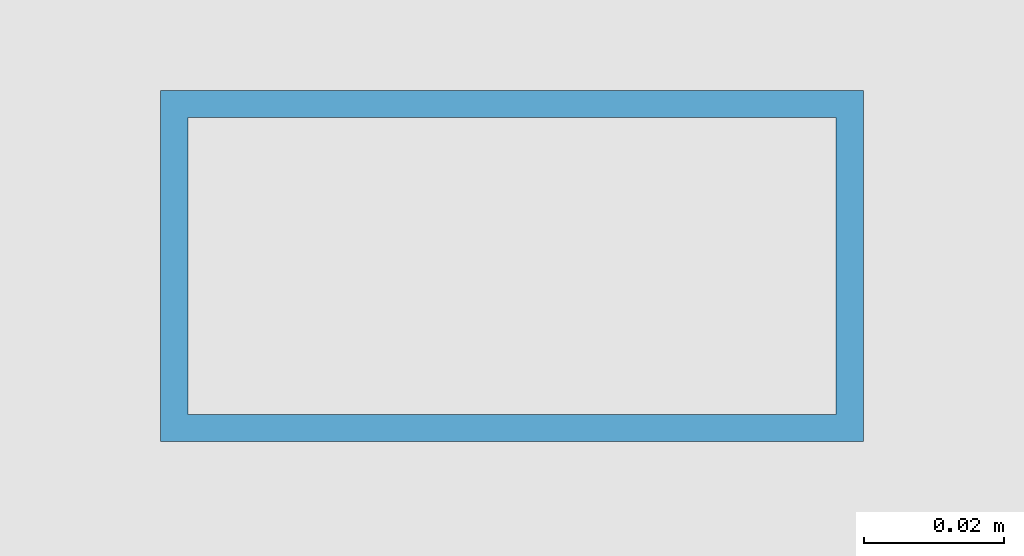
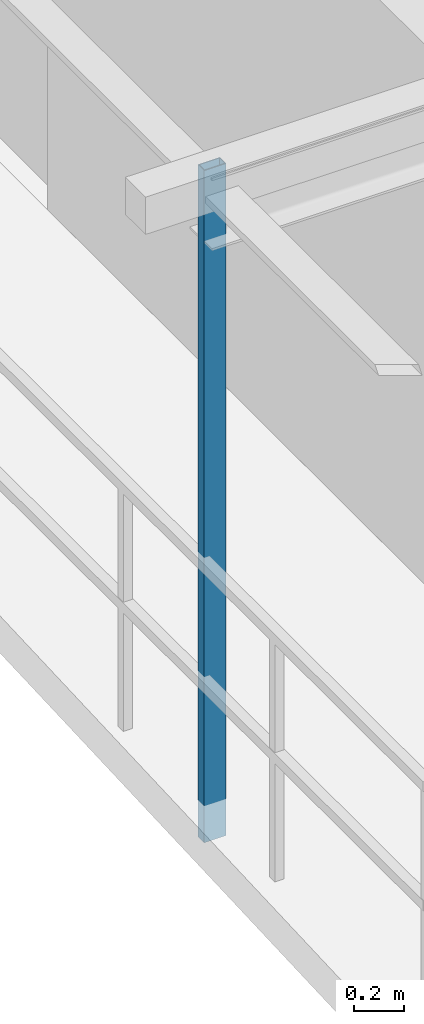
# One storey, part 3 of 16: 1 member.
"""IFC4 building model written with IfcOpenShell, lengths in metres."""

from ifc_helpers import new_model, si_unit, direction, frame, origin, origin_2d, place, context, subcontext, project, spatial, hollow_rectangle, extrude, source, transform, mapped, material, material_profile, profile_set, type_object, element, save


model = new_model("IFC4")

# Units and contexts
model_context = context("Model", 3, precision=1e-05, world=origin(), true_north=direction((0.0, 1.0)))
body_context = subcontext(model_context, "Body", "Model", "MODEL_VIEW")
ifc_project = project(units=[si_unit("LENGTHUNIT", "METRE"), si_unit("AREAUNIT", "SQUARE_METRE"), si_unit("VOLUMEUNIT", "CUBIC_METRE"), si_unit("PLANEANGLEUNIT", "RADIAN"), si_unit("MASSUNIT", "GRAM", prefix="KILO"), si_unit("THERMODYNAMICTEMPERATUREUNIT", "KELVIN"), si_unit("POWERUNIT", "WATT")], contexts=[model_context])

# Site, building, storey
site_placement = place(None, origin())
site = spatial("IfcSite", under=ifc_project, at=site_placement, CompositionType="ELEMENT")
building_placement = place(site_placement, origin())
building = spatial("IfcBuilding", under=site, at=building_placement, Name="Qiaomeng Ring Towers", CompositionType="ELEMENT")
storey_placement = place(building_placement, frame((0.0, 0.0, 190.5)))
storey = spatial("IfcBuildingStorey", under=building, at=storey_placement, Name="L55", CompositionType="ELEMENT", Elevation=190.5)

# Member
ifc_material = material(Name="Stainless steel 316", Category="steel")
ifc_material_profile = material_profile(ifc_material, hollow_rectangle(XDim=0.050048828125, YDim=0.10009765625, WallThickness=0.00390625, at=origin_2d()), Name="SS TRELLIS 100x50")
ifc_profile_set = profile_set([ifc_material_profile], Name="Stainless steel 316")
member_type = type_object("IfcMemberType", Name="ARC-TR-POST2", PredefinedType="STUD", material=ifc_profile_set)
shared_shape = source(origin(), body_context, "Body", "SweptSolid", [
    extrude(hollow_rectangle(XDim=0.050048828125, YDim=0.10009765625, WallThickness=0.00390625, at=origin_2d()), origin(), (0.0, 0.0, 1.0), 3.25),
])
member_placement = place(storey_placement, frame((0.72998046875, 20.0, -0.179931640625), z_axis=(0.0, 0.0, 1.0), x_axis=(0.0, 1.0, 0.0)))
element("IfcMember", 1, at=member_placement, inside=storey, type_object=member_type, Name="L55 Outer Ventilated Trellis Post W", PredefinedType="STUD", context=body_context, shape_type="MappedRepresentation", body=[
    mapped(shared_shape, transform((0.0, 0.0, 0.0), x_axis=(1.0, 0.0, 0.0), y_axis=(0.0, 1.0, 0.0), z_axis=(0.0, 0.0, 1.0), scale=1.0)),
])

save(model, "model.ifc")
